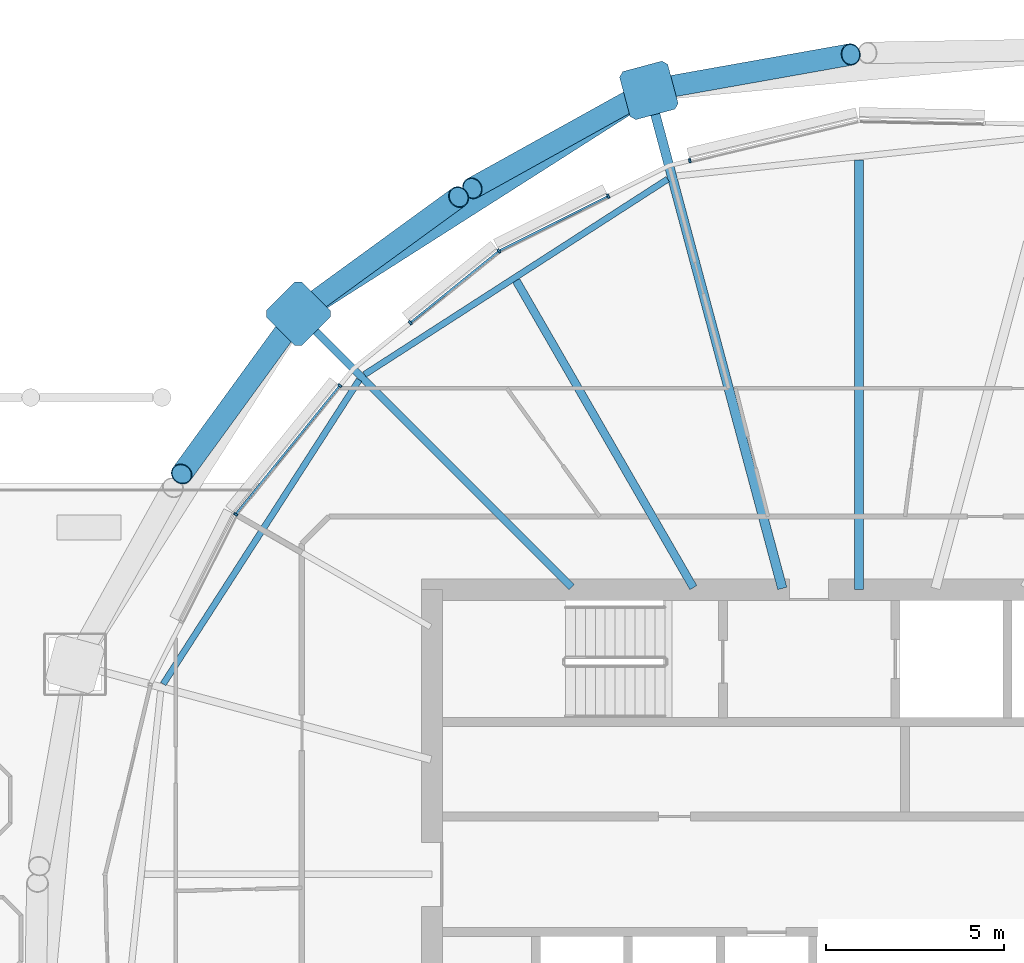
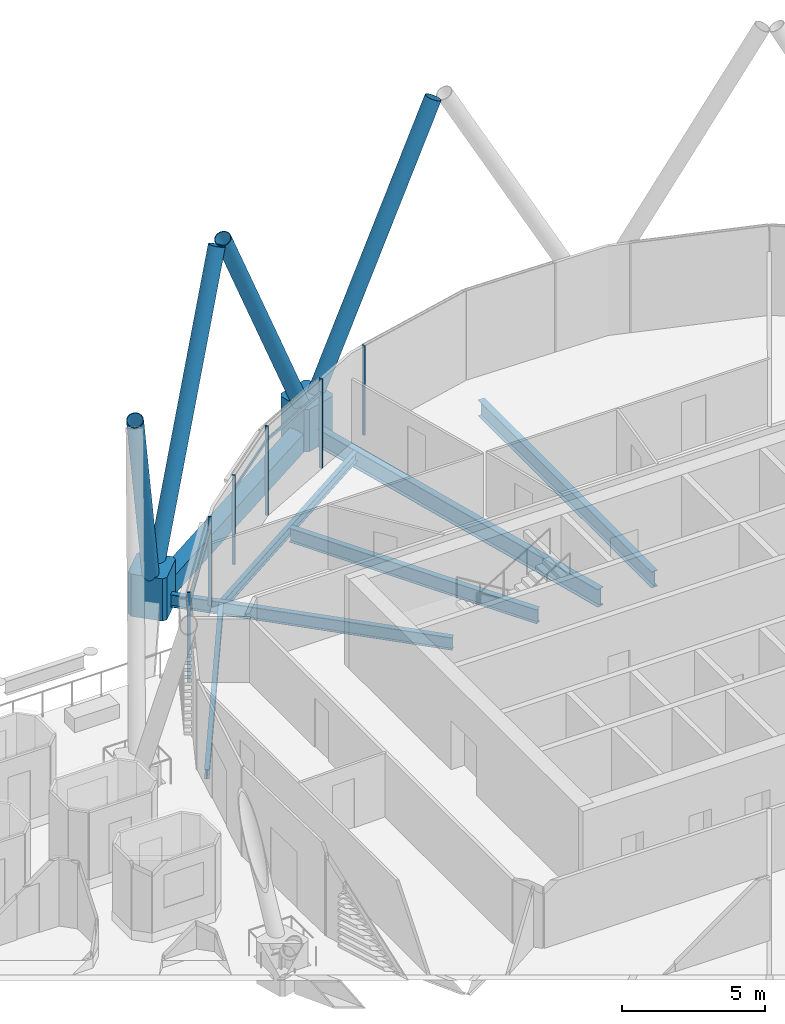
# One storey, part 18 of 38: 15 members, 7 beams, 1 element without a shape of its own.
"""IFC4 building model written with IfcOpenShell, lengths in metres."""

from ifc_helpers import new_model, si_unit, direction, frame, origin, origin_2d, place, context, subcontext, project, spatial, polyline, rectangle, hollow_rectangle, hollow_circle, i_section, outline, extrude, material, material_profile, profile_set, type_object, element, aggregate, save


model = new_model("IFC4")

# Units and contexts
model_context = context("Model", 3, precision=1e-05, world=origin(), true_north=direction((0.0, 1.0)))
body_context = subcontext(model_context, "Body", "Model", "MODEL_VIEW")
ifc_project = project(units=[si_unit("LENGTHUNIT", "METRE"), si_unit("AREAUNIT", "SQUARE_METRE"), si_unit("VOLUMEUNIT", "CUBIC_METRE"), si_unit("PLANEANGLEUNIT", "RADIAN"), si_unit("MASSUNIT", "GRAM", prefix="KILO")], contexts=[model_context])

# Site, building, storey
site_placement = place(None, origin())
site = spatial("IfcSite", under=ifc_project, at=site_placement, CompositionType="ELEMENT")
building_placement = place(site_placement, origin())
building = spatial("IfcBuilding", under=site, at=building_placement, Name="Rimbun Link Towers", CompositionType="ELEMENT")
storey_placement = place(building_placement, frame((0.0, 0.0, 158.89990234375)))
storey = spatial("IfcBuildingStorey", under=building, at=storey_placement, Name="L38", CompositionType="ELEMENT", Elevation=158.89990234375)

# Curtain wall, members
ifc_material_1 = material(Name="Aluminium 6063-T6 and low-iron glass", Category="aluminium")
curtain_wall_type = type_object("IfcCurtainWallType", Name="CW1-Z3 unitised vision wall (zone 3)", PredefinedType="NOTDEFINED", material=ifc_material_1)
curtain_wall_placement = place(storey_placement, origin())
curtain_wall = element("IfcCurtainWall", 1, at=curtain_wall_placement, inside=storey, type_object=curtain_wall_type, Name="CW1 L38 T2", PredefinedType="NOTDEFINED")
ifc_material_2 = material(Name="Aluminium 6063-T6", Category="aluminium")
ifc_material_profile_1 = material_profile(ifc_material_2, rectangle(XDim=0.1201171875, YDim=0.06005859375, at=origin_2d()), Name="MULLION 60X120")
ifc_profile_set_1 = profile_set([ifc_material_profile_1], Name="Aluminium 6063-T6")
member_type_1 = type_object("IfcMemberType", Name="CW1 mullion 60X120", PredefinedType="MULLION", material=ifc_profile_set_1)
member_1_placement = place(storey_placement, frame((26.998291015625, 20.057373046875, 0.0), z_axis=(0.0, 0.0, 1.0), x_axis=(-0.232610420521, 0.972569993504, 0.0)))
member_1 = element("IfcMember", 2, at=member_1_placement, type_object=member_type_1, Name="CW1 mullion", PredefinedType="MULLION", context=body_context, shape_type="SweptSolid", body=[
    extrude(rectangle(XDim=0.1201171875, YDim=0.06005859375, at=origin_2d()), origin(), (0.0, 0.0, 1.0), 3.800048828125),
])
member_2_placement = place(storey_placement, frame((21.632568359375, 17.517822265625, 0.0), z_axis=(0.0, 0.0, 1.0), x_axis=(-0.542099635168, 0.840314218344, 0.0)))
member_2 = element("IfcMember", 3, at=member_2_placement, type_object=member_type_1, Name="CW1 mullion", PredefinedType="MULLION", context=body_context, shape_type="SweptSolid", body=[
    extrude(rectangle(XDim=0.1201171875, YDim=0.06005859375, at=origin_2d()), origin(), (0.0, 0.0, 1.0), 3.800048828125),
])
member_3_placement = place(storey_placement, frame((24.703857421875, 19.060546875, 0.0), z_axis=(0.0, 0.0, 1.0), x_axis=(-0.448766277854, 0.893649163744, 0.0)))
member_3 = element("IfcMember", 4, at=member_3_placement, type_object=member_type_1, Name="CW1 mullion", PredefinedType="MULLION", context=body_context, shape_type="SweptSolid", body=[
    extrude(rectangle(XDim=0.1201171875, YDim=0.06005859375, at=origin_2d()), origin(), (0.0, 0.0, 1.0), 3.800048828125),
])
member_4_placement = place(storey_placement, frame((19.140869140625, 15.501220703125, 0.0), z_axis=(0.0, 0.0, 1.0), x_axis=(-0.629168634373, 0.777268827061, 0.0)))
member_4 = element("IfcMember", 5, at=member_4_placement, type_object=member_type_1, Name="CW1 mullion", PredefinedType="MULLION", context=body_context, shape_type="SweptSolid", body=[
    extrude(rectangle(XDim=0.1201171875, YDim=0.06005859375, at=origin_2d()), origin(), (0.0, 0.0, 1.0), 3.800048828125),
])
member_5_placement = place(storey_placement, frame((14.232177734375, 10.117431640625, 0.0), z_axis=(0.0, 0.0, 1.0), x_axis=(-0.840314218344, 0.542099635168, 0.0)))
member_5 = element("IfcMember", 6, at=member_5_placement, type_object=member_type_1, Name="CW1 mullion", PredefinedType="MULLION", context=body_context, shape_type="SweptSolid", body=[
    extrude(rectangle(XDim=0.1201171875, YDim=0.06005859375, at=origin_2d()), origin(), (0.0, 0.0, 1.0), 3.800048828125),
])
member_6_placement = place(storey_placement, frame((17.1611328125, 13.736083984375, 0.0), z_axis=(0.0, 0.0, 1.0), x_axis=(-0.777268827061, 0.629168634373, 0.0)))
member_6 = element("IfcMember", 7, at=member_6_placement, type_object=member_type_1, Name="CW1 mullion", PredefinedType="MULLION", context=body_context, shape_type="SweptSolid", body=[
    extrude(rectangle(XDim=0.1201171875, YDim=0.06005859375, at=origin_2d()), origin(), (0.0, 0.0, 1.0), 3.800048828125),
])
ifc_material_3 = material(Name="Aluminium 6063-T6", Category="aluminium")
ifc_material_profile_2 = material_profile(ifc_material_3, rectangle(XDim=0.06005859375, YDim=0.1201171875, at=origin_2d()), Name="TRANSOM 60X120")
ifc_profile_set_2 = profile_set([ifc_material_profile_2], Name="Aluminium 6063-T6")
member_type_2 = type_object("IfcMemberType", Name="CW1 transom 60X120", PredefinedType="USERDEFINED", material=ifc_profile_set_2)
member_7_placement = place(storey_placement, frame((21.666015625, 17.53271484375, 3.2001953125), z_axis=(0.893658038101, 0.448748605499, 0.0), x_axis=(-0.448748605499, 0.893658038101, 0.0)))
member_7 = element("IfcMember", 8, at=member_7_placement, type_object=member_type_2, Name="CW1 transom", ObjectType="TRANSOM", PredefinedType="USERDEFINED", context=body_context, shape_type="SweptSolid", body=[
    extrude(rectangle(XDim=0.06005859375, YDim=0.1201171875, at=origin_2d()), origin(), (0.0, 0.0, 1.0), 3.370361328125),
])
member_8_placement = place(storey_placement, frame((19.16552734375, 15.5185546875, 3.2001953125), z_axis=(0.777259359643, 0.629180330149, 0.0), x_axis=(-0.629180330149, 0.777259359643, 0.0)))
member_8 = element("IfcMember", 9, at=member_8_placement, type_object=member_type_2, Name="CW1 transom", ObjectType="TRANSOM", PredefinedType="USERDEFINED", context=body_context, shape_type="SweptSolid", body=[
    extrude(rectangle(XDim=0.06005859375, YDim=0.1201171875, at=origin_2d()), origin(), (0.0, 0.0, 1.0), 3.13916015625),
])
member_9_placement = place(storey_placement, frame((14.25634765625, 10.14453125, 3.2001953125), z_axis=(0.629167621361, 0.777269647054, 0.0), x_axis=(-0.777269647054, 0.629167621361, 0.0)))
member_9 = element("IfcMember", 10, at=member_9_placement, type_object=member_type_2, Name="CW1 transom", ObjectType="TRANSOM", PredefinedType="USERDEFINED", context=body_context, shape_type="SweptSolid", body=[
    extrude(rectangle(XDim=0.06005859375, YDim=0.1201171875, at=origin_2d()), origin(), (0.0, 0.0, 1.0), 4.58935546875),
])
aggregate(curtain_wall, [member_1, member_2, member_3, member_4, member_5, member_6, member_7, member_8, member_9])

# Members
ifc_material_4 = material(Name="Steel S355J2H", Category="steel")
ifc_material_profile_3 = material_profile(ifc_material_4, hollow_circle(Radius=0.3046875, WallThickness=0.02490234375, at=origin_2d()), Name="Diagrid diagonal CHS 610x25")
ifc_profile_set_3 = profile_set([ifc_material_profile_3], Name="Steel S355J2H")
member_type_3 = type_object("IfcMemberType", Name="Diagrid diagonal CHS 610x25", PredefinedType="BRACE", material=ifc_profile_set_3)
member_10_placement = place(storey_placement, frame((26.075439453125, 22.07373046875, 0.442626953125), z_axis=(0.458330415356, 0.081518864675, 0.88503553887), x_axis=(-0.175112257687, 0.984548473772, 0.0)))
element("IfcMember", 11, at=member_10_placement, inside=storey, type_object=member_type_3, Name="Diagrid diagonal T2 L38-L41 04a", PredefinedType="BRACE", context=body_context, shape_type="SweptSolid", body=[
    extrude(hollow_circle(Radius=0.3046875, WallThickness=0.02490234375, at=origin_2d()), origin(), (0.0, 0.0, 1.0), 11.880859375),
])
member_11_placement = place(storey_placement, frame((25.645263671875, 21.92138671875, 0.444091796875), z_axis=(-0.402187533502, -0.2230983867, 0.887959626192), x_axis=(0.48507936887, -0.874470128647, 0.0)))
element("IfcMember", 12, at=member_11_placement, inside=storey, type_object=member_type_3, Name="Diagrid diagonal T2 L38-L41 04b", PredefinedType="BRACE", context=body_context, shape_type="SweptSolid", body=[
    extrude(hollow_circle(Radius=0.3046875, WallThickness=0.02490234375, at=origin_2d()), origin(), (0.0, 0.0, 1.0), 11.83837890625),
])
for number, where, z_axis, x_axis, name in (
    (13, (16.177490234375, 15.88916015625, 0.44580078125), (0.366571481514, 0.266847804455, 0.891301070457), (-0.588532792202, 0.808473346811, 0.0), "Diagrid diagonal T2 L38-L41 06a"),
    (14, (15.86083984375, 15.572509765625, 0.44580078125), (-0.266847804455, -0.366571481514, 0.891301070457), (0.808473346811, -0.588532792202, 0.0), "Diagrid diagonal T2 L38-L41 06b"),
):
    element("IfcMember", number, at=place(storey_placement, frame(where, z_axis=z_axis, x_axis=x_axis)), inside=storey, type_object=member_type_3, Name=name, PredefinedType="BRACE", context=body_context, shape_type="SweptSolid", body=[
        extrude(hollow_circle(Radius=0.3046875, WallThickness=0.02490234375, at=origin_2d()), origin(), (0.0, 0.0, 1.0), 11.790283203125),
    ])
ifc_material_5 = material(Name="Cast steel G20Mn5+QT, Rp0.2 300 MPa", Category="steel")
ifc_material_profile_4 = material_profile(ifc_material_5, outline(polyline([(0.699951171875, -0.570068359375), (0.699951171875, 0.570068359375), (0.570068359375, 0.699951171875), (-0.570068359375, 0.699951171875), (-0.699951171875, 0.570068359375), (-0.699951171875, -0.570068359375), (-0.570068359375, -0.699951171875), (0.570068359375, -0.699951171875), (0.699951171875, -0.570068359375)])), Name="NODE 1400x1400")
ifc_profile_set_4 = profile_set([ifc_material_profile_4], Name="Cast steel G20Mn5+QT, Rp0.2 300 MPa")
member_type_4 = type_object("IfcMemberType", Name="Diagrid node cast 1400", PredefinedType="USERDEFINED", material=ifc_profile_set_4)
for number, where, z_axis, x_axis, name in (
    (15, (25.84619140625, 22.032958984375, -0.89990234375), (0.0, 0.0, 1.0), (-0.258819045103, 0.965925826289, 0.0), "Diagrid node L38 04"),
    (16, (15.994140625, 15.755859375, -0.89990234375), (0.0, 0.0, 1.0), (-0.707106781187, 0.707106781187, 0.0), "Diagrid node L38 06"),
):
    element("IfcMember", number, at=place(storey_placement, frame(where, z_axis=z_axis, x_axis=x_axis)), inside=storey, type_object=member_type_4, Name=name, ObjectType="Diagrid node", PredefinedType="USERDEFINED", context=body_context, shape_type="SweptSolid", body=[
        extrude(outline(polyline([(0.699951171875, -0.570068359375), (0.699951171875, 0.570068359375), (0.570068359375, 0.699951171875), (-0.570068359375, 0.699951171875), (-0.699951171875, 0.570068359375), (-0.699951171875, -0.570068359375), (-0.570068359375, -0.699951171875), (0.570068359375, -0.699951171875), (0.699951171875, -0.570068359375)])), origin(), (0.0, 0.0, 1.0), 1.800048828125),
    ])

# Beams
ifc_material_6 = material(Name="Steel S355J2", Category="steel")
ifc_material_profile_5 = material_profile(ifc_material_6, hollow_rectangle(XDim=0.60009765625, YDim=0.800048828125, WallThickness=0.0400390625, at=origin_2d()), Name="Exoskeleton ring girder BOX 600x800x40")
ifc_profile_set_5 = profile_set([ifc_material_profile_5], Name="Steel S355J2")
beam_type_1 = type_object("IfcBeamType", Name="Exoskeleton ring girder BOX 600x800x40", PredefinedType="BEAM", material=ifc_profile_set_5)
beam_1_placement = place(storey_placement, frame((25.255859375, 21.65673828125, -0.559814453125), z_axis=(-0.843357274533, -0.537353242748, 0.0), x_axis=(0.537353242748, -0.843357274533, 0.0)))
element("IfcBeam", 17, at=beam_1_placement, inside=storey, type_object=beam_type_1, Name="Exoskeleton ring girder L38 02", PredefinedType="BEAM", context=body_context, shape_type="SweptSolid", body=[
    extrude(hollow_rectangle(XDim=0.60009765625, YDim=0.800048828125, WallThickness=0.0400390625, at=origin_2d()), origin(), (0.0, 0.0, 1.0), 10.28173828125),
])
ifc_material_7 = material(Name="Steel S355J2", Category="steel")
ifc_material_profile_6 = material_profile(ifc_material_7, i_section(OverallWidth=0.177978515625, OverallDepth=0.406494140625, WebThickness=0.0078125, FlangeThickness=0.0126953125, at=origin_2d()), Name="UB 406x178x60")
ifc_profile_set_6 = profile_set([ifc_material_profile_6], Name="Steel S355J2")
beam_type_2 = type_object("IfcBeamType", Name="UB 406x178x60", PredefinedType="BEAM", material=ifc_profile_set_6)
beam_2_placement = place(storey_placement, frame((26.376220703125, 19.53662109375, -0.35302734375), z_axis=(-0.840628779979, -0.541611719105, 0.0), x_axis=(0.541611719105, -0.840628779979, 0.0)))
element("IfcBeam", 18, at=beam_2_placement, inside=storey, type_object=beam_type_2, Name="Edge beam T2 L38 04-06", PredefinedType="BEAM", context=body_context, shape_type="SweptSolid", body=[
    extrude(i_section(OverallWidth=0.177978515625, OverallDepth=0.406494140625, WebThickness=0.0078125, FlangeThickness=0.0126953125, at=origin_2d()), origin(), (0.0, 0.0, 1.0), 10.13818359375),
])
beam_3_placement = place(storey_placement, frame((17.704345703125, 13.896240234375, -0.35302734375), z_axis=(-0.541594641313, -0.840639782845, 0.0), x_axis=(0.840639782845, -0.541594641313, 0.0)))
element("IfcBeam", 19, at=beam_3_placement, inside=storey, type_object=beam_type_2, Name="Edge beam T2 L38 06-08", PredefinedType="BEAM", context=body_context, shape_type="SweptSolid", body=[
    extrude(i_section(OverallWidth=0.177978515625, OverallDepth=0.406494140625, WebThickness=0.0078125, FlangeThickness=0.0126953125, at=origin_2d()), origin(), (0.0, 0.0, 1.0), 10.168212890625),
])
ifc_material_8 = material(Name="Steel S355J2", Category="steel")
ifc_material_profile_7 = material_profile(ifc_material_8, i_section(OverallWidth=0.209228515625, OverallDepth=0.533203125, WebThickness=0.010009765625, FlangeThickness=0.015625, at=origin_2d()), Name="UB 533x210x92")
ifc_profile_set_7 = profile_set([ifc_material_profile_7], Name="Steel S355J2")
beam_type_3 = type_object("IfcBeamType", Name="UB 533x210x92", PredefinedType="BEAM", material=ifc_profile_set_7)
beam_4_placement = place(storey_placement, frame((23.67529296875, 8.07470703125, -0.41650390625), z_axis=(-0.707106781187, 0.707106781187, 0.0), x_axis=(-0.707106781187, -0.707106781187, 0.0)))
element("IfcBeam", 20, at=beam_4_placement, inside=storey, type_object=beam_type_3, Name="Radial beam T2 L38 06", PredefinedType="BEAM", context=body_context, shape_type="SweptSolid", body=[
    extrude(i_section(OverallWidth=0.209228515625, OverallDepth=0.533203125, WebThickness=0.010009765625, FlangeThickness=0.015625, at=origin_2d()), origin(), (0.0, 0.0, 1.0), 10.362548828125),
])
ifc_material_9 = material(Name="Steel S355J2", Category="steel")
ifc_material_profile_8 = material_profile(ifc_material_9, i_section(OverallWidth=0.2275390625, OverallDepth=0.6025390625, WebThickness=0.010498046875, FlangeThickness=0.014892578125, at=origin_2d()), Name="UB 610x229x101")
ifc_profile_set_8 = profile_set([ifc_material_profile_8], Name="Steel S355J2")
beam_type_4 = type_object("IfcBeamType", Name="UB 610x229x101", PredefinedType="BEAM", material=ifc_profile_set_8)
beam_5_placement = place(storey_placement, frame((27.097900390625, 8.057861328125, -0.451171875), z_axis=(-0.500010957915, 0.866019077137, 0.0), x_axis=(-0.866019077137, -0.500010957915, 0.0)))
element("IfcBeam", 21, at=beam_5_placement, inside=storey, type_object=beam_type_4, Name="Radial beam T2 L38 05", PredefinedType="BEAM", context=body_context, shape_type="SweptSolid", body=[
    extrude(i_section(OverallWidth=0.2275390625, OverallDepth=0.6025390625, WebThickness=0.010498046875, FlangeThickness=0.014892578125, at=origin_2d()), origin(), (0.0, 0.0, 1.0), 9.962158203125),
])
ifc_material_10 = material(Name="Steel S355J2", Category="steel")
ifc_material_profile_9 = material_profile(ifc_material_10, i_section(OverallWidth=0.253662109375, OverallDepth=0.68359375, WebThickness=0.012451171875, FlangeThickness=0.01904296875, at=origin_2d()), Name="UB 686x254x140")
ifc_profile_set_9 = profile_set([ifc_material_profile_9], Name="Steel S355J2")
beam_type_5 = type_object("IfcBeamType", Name="UB 686x254x140", PredefinedType="BEAM", material=ifc_profile_set_9)
beam_6_placement = place(storey_placement, frame((31.75, 8.0009765625, -0.49169921875), z_axis=(0.0, 1.0, 0.0), x_axis=(-1.0, 0.0, 0.0)))
element("IfcBeam", 22, at=beam_6_placement, inside=storey, type_object=beam_type_5, Name="Radial beam T2 L38 03", PredefinedType="BEAM", context=body_context, shape_type="SweptSolid", body=[
    extrude(i_section(OverallWidth=0.253662109375, OverallDepth=0.68359375, WebThickness=0.012451171875, FlangeThickness=0.01904296875, at=origin_2d()), origin(), (0.0, 0.0, 1.0), 12.0810546875),
])
ifc_material_11 = material(Name="Steel S355J2", Category="steel")
ifc_material_profile_10 = material_profile(ifc_material_11, i_section(OverallWidth=0.2666015625, OverallDepth=0.76220703125, WebThickness=0.014404296875, FlangeThickness=0.021484375, at=origin_2d()), Name="UB 762x267x173")
ifc_profile_set_10 = profile_set([ifc_material_profile_10], Name="Steel S355J2")
beam_type_6 = type_object("IfcBeamType", Name="UB 762x267x173", PredefinedType="BEAM", material=ifc_profile_set_10)
beam_7_placement = place(storey_placement, frame((29.596923828125, 8.035400390625, -0.531005859375), z_axis=(-0.258829993093, 0.965922892717, 0.0), x_axis=(-0.965922892717, -0.258829993093, 0.0)))
element("IfcBeam", 23, at=beam_7_placement, inside=storey, type_object=beam_type_6, Name="Radial beam T2 L38 04", PredefinedType="BEAM", context=body_context, shape_type="SweptSolid", body=[
    extrude(i_section(OverallWidth=0.2666015625, OverallDepth=0.76220703125, WebThickness=0.014404296875, FlangeThickness=0.021484375, at=origin_2d()), origin(), (0.0, 0.0, 1.0), 13.9912109375),
])

save(model, "model.ifc")
